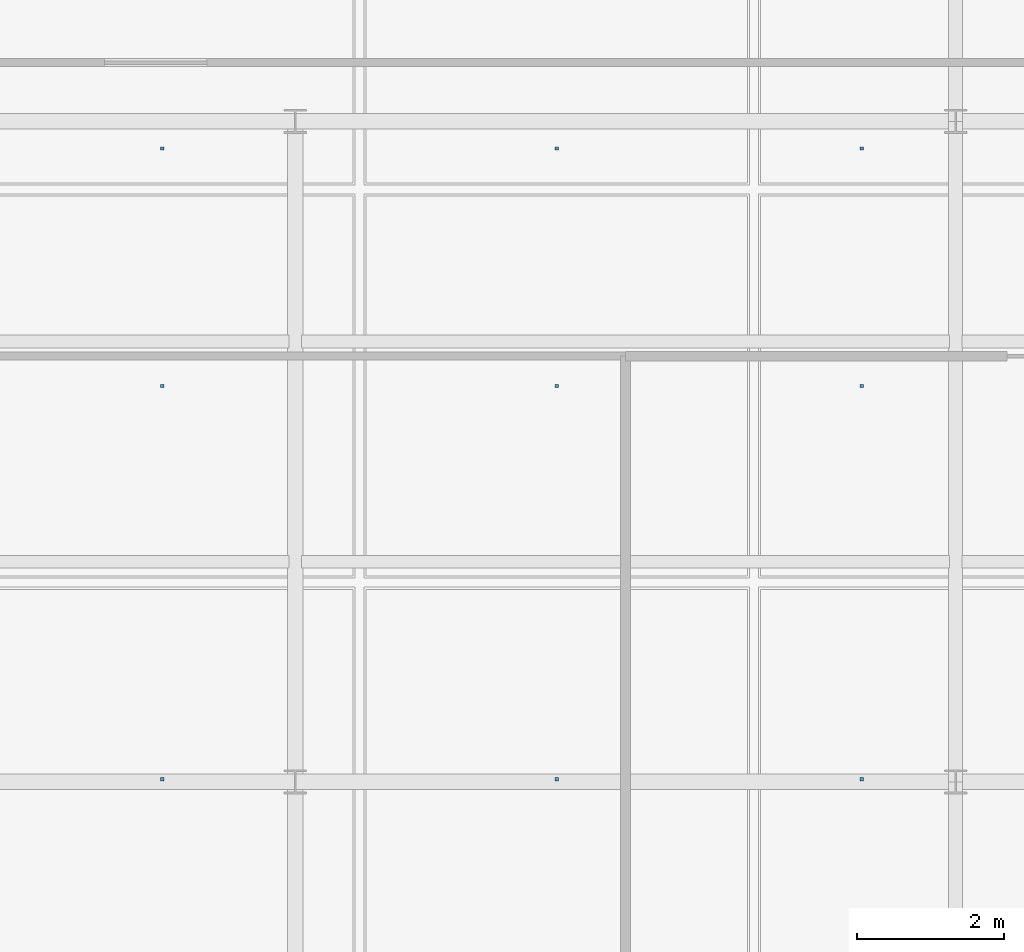
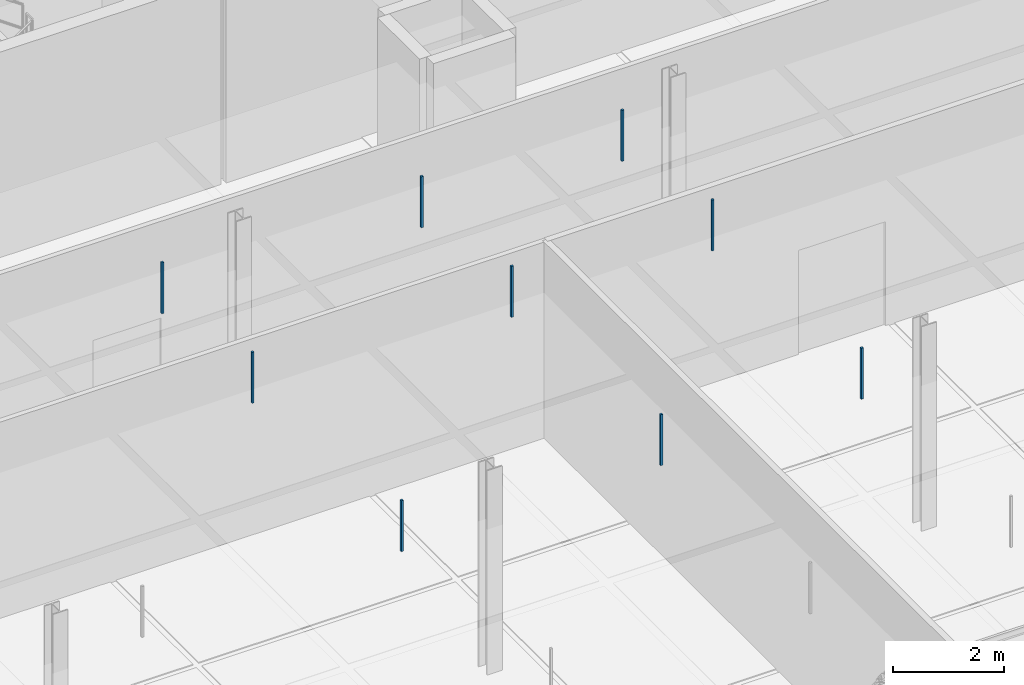
# One storey, part 74 of 89: 9 discrete accessories.
"""IFC4 building model written with IfcOpenShell, lengths in metres."""

from ifc_helpers import new_model, si_unit, direction, frame, origin, origin_2d, place, context, subcontext, project, spatial, rectangle, extrude, material, type_object, element, save


model = new_model("IFC4")

# Units and contexts
model_context = context("Model", 3, precision=1e-05, world=origin(), true_north=direction((0.0, 1.0)))
body_context = subcontext(model_context, "Body", "Model", "MODEL_VIEW")
ifc_project = project(units=[si_unit("LENGTHUNIT", "METRE"), si_unit("AREAUNIT", "SQUARE_METRE"), si_unit("VOLUMEUNIT", "CUBIC_METRE"), si_unit("PLANEANGLEUNIT", "RADIAN"), si_unit("MASSUNIT", "GRAM", prefix="KILO"), si_unit("THERMODYNAMICTEMPERATUREUNIT", "KELVIN"), si_unit("POWERUNIT", "WATT")], contexts=[model_context])

# Site, building, storey
site_placement = place(None, origin())
site = spatial("IfcSite", under=ifc_project, at=site_placement, CompositionType="ELEMENT")
building_placement = place(site_placement, origin())
building = spatial("IfcBuilding", under=site, at=building_placement, Name="Tallowbark Science Centre", CompositionType="ELEMENT")
storey_placement = place(building_placement, frame((0.0, 0.0, 14.39990234375)))
storey = spatial("IfcBuildingStorey", under=building, at=storey_placement, Name="L03", CompositionType="ELEMENT", Elevation=14.39990234375)

# Discrete accessories
ifc_material = material(Name="Galvanised Steel Grade C350L0 (350 MPa)", Category="steel")
discrete_accessory_type = type_object("IfcDiscreteAccessoryType", Name="ACC-CLG-HNG", PredefinedType="BRACKET", material=ifc_material)
for number, where, z_axis, x_axis, name in (
    (1, (137.6875, 81.03564453125, 3.2060546875), (0.0, 0.0, 1.0), (1.0, 0.0, 0.0), "Ceiling Hanger Bracket L03-1045"),
    (2, (137.6875, 86.392822265625, 3.2060546875), (0.0, 0.0, 1.0), (1.0, 0.0, 0.0), "Ceiling Hanger Bracket L03-1046"),
    (3, (137.6875, 89.630615234375, 3.2060546875), (0.0, 0.0, 1.0), (1.0, 0.0, 0.0), "Ceiling Hanger Bracket L03-1047"),
    (4, (143.0625, 81.03564453125, 3.2060546875), (0.0, 0.0, 1.0), (1.0, 0.0, 0.0), "Ceiling Hanger Bracket L03-1050"),
    (5, (143.0625, 86.392822265625, 3.2060546875), (0.0, 0.0, 1.0), (1.0, 0.0, 0.0), "Ceiling Hanger Bracket L03-1051"),
    (6, (143.0625, 89.630615234375, 3.2060546875), (0.0, 0.0, 1.0), (1.0, 0.0, 0.0), "Ceiling Hanger Bracket L03-1052"),
    (7, (147.219970703125, 81.03564453125, 3.2060546875), (0.0, 0.0, 1.0), (1.0, 0.0, 0.0), "Ceiling Hanger Bracket L03-1055"),
    (8, (147.219970703125, 86.392822265625, 3.2060546875), (0.0, 0.0, 1.0), (1.0, 0.0, 0.0), "Ceiling Hanger Bracket L03-1056"),
    (9, (147.219970703125, 89.630615234375, 3.2060546875), (0.0, 0.0, 1.0), (1.0, 0.0, 0.0), "Ceiling Hanger Bracket L03-1057"),
):
    element("IfcDiscreteAccessory", number, at=place(storey_placement, frame(where, z_axis=z_axis, x_axis=x_axis)), inside=storey, type_object=discrete_accessory_type, Name=name, PredefinedType="BRACKET", context=body_context, shape_type="SweptSolid", body=[
        extrude(rectangle(XDim=0.044921875, YDim=0.044921875, at=origin_2d()), origin(), (0.0, 0.0, 1.0), 1.116943359375),
    ])

save(model, "model.ifc")
